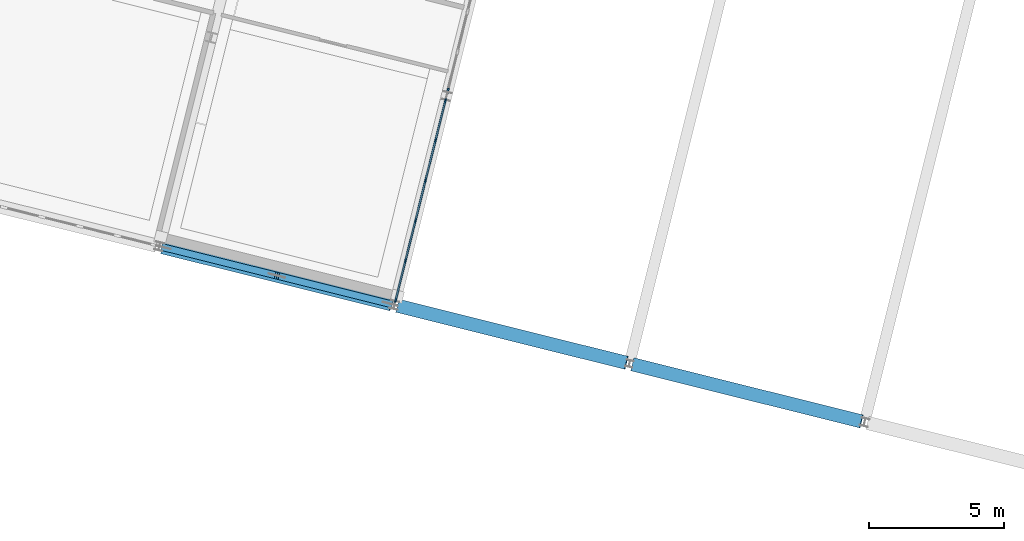
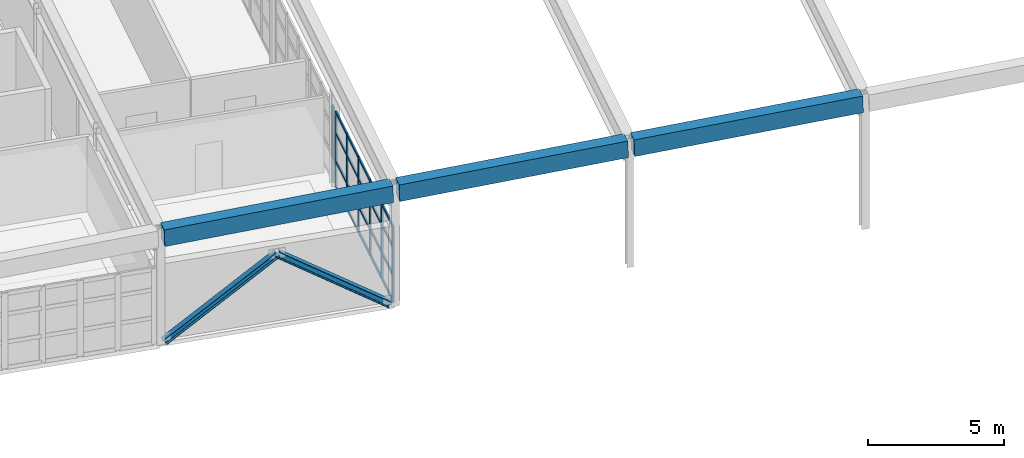
# One storey, part 12 of 27: 29 members, 3 beams, 2 elements without a shape of their own.
"""IFC4 building model written with IfcOpenShell, lengths in metres."""

from ifc_helpers import new_model, si_unit, direction, frame, origin, origin_2d, place, context, subcontext, project, spatial, rectangle, i_section, extrude, material, layer, layer_set, material_profile, profile_set, type_object, element, aggregate, save


model = new_model("IFC4")

# Units and contexts
model_context = context("Model", 3, precision=1e-05, world=origin(), true_north=direction((0.0, 1.0)))
body_context = subcontext(model_context, "Body", "Model", "MODEL_VIEW")
ifc_project = project(units=[si_unit("LENGTHUNIT", "METRE"), si_unit("AREAUNIT", "SQUARE_METRE"), si_unit("VOLUMEUNIT", "CUBIC_METRE"), si_unit("PLANEANGLEUNIT", "RADIAN"), si_unit("MASSUNIT", "GRAM", prefix="KILO")], contexts=[model_context])

# Site, building, storey
site_placement = place(None, origin())
site = spatial("IfcSite", under=ifc_project, at=site_placement, CompositionType="ELEMENT")
building_placement = place(site_placement, origin())
building = spatial("IfcBuilding", under=site, at=building_placement, Name="Vireo Bluff Cable Station", CompositionType="ELEMENT")
storey_placement = place(building_placement, frame((0.0, 0.0, 19.199951171875)))
storey = spatial("IfcBuildingStorey", under=building, at=storey_placement, Name="L04", CompositionType="ELEMENT", Elevation=19.199951171875)

# Members
ifc_material_1 = material(Name="Steel ASTM A992 Gr. 50", Category="steel")
ifc_material_profile_1 = material_profile(ifc_material_1, i_section(OverallWidth=0.2548828125, OverallDepth=0.256103515625, WebThickness=0.009521484375, FlangeThickness=0.015625, FilletRadius=0.009033203125, at=origin_2d()), Name="W10X54")
ifc_profile_set_1 = profile_set([ifc_material_profile_1], Name="Steel ASTM A992 Gr. 50")
member_type_1 = type_object("IfcMemberType", Name="BRC-02", PredefinedType="BRACE", material=ifc_profile_set_1)
member_1_placement = place(storey_placement, frame((71.62060546875, 33.606689453125, 0.0400390625), z_axis=(0.788678959365, -0.196666755811, 0.582501232801), x_axis=(0.241953175614, 0.970287926757, 0.0)))
element("IfcMember", 1, at=member_1_placement, inside=storey, type_object=member_type_1, Name="V1 L04 concentric brace 25L", PredefinedType="BRACE", context=body_context, shape_type="SweptSolid", body=[
    extrude(i_section(OverallWidth=0.2548828125, OverallDepth=0.256103515625, WebThickness=0.009521484375, FlangeThickness=0.015625, FilletRadius=0.009033203125, at=origin_2d()), origin(), (0.0, 0.0, 1.0), 5.339111328125),
])
ifc_material_profile_2 = material_profile(ifc_material_1, i_section(OverallWidth=0.257080078125, OverallDepth=0.263916015625, WebThickness=0.011962890625, FlangeThickness=0.01953125, FilletRadius=0.009033203125, at=origin_2d()), Name="W10X68")
ifc_profile_set_2 = profile_set([ifc_material_profile_2], Name="Steel ASTM A992 Gr. 50")
member_type_2 = type_object("IfcMemberType", Name="BRC-03", PredefinedType="BRACE", material=ifc_profile_set_2)
member_2_placement = place(storey_placement, frame((80.042724609375, 31.5068359375, 0.0400390625), z_axis=(-0.788703333434, 0.196615707216, 0.582485463773), x_axis=(-0.241887009228, -0.970304423759, 0.0)))
element("IfcMember", 2, at=member_2_placement, inside=storey, type_object=member_type_2, Name="V1 L04 concentric brace 26R", PredefinedType="BRACE", context=body_context, shape_type="SweptSolid", body=[
    extrude(i_section(OverallWidth=0.257080078125, OverallDepth=0.263916015625, WebThickness=0.011962890625, FlangeThickness=0.01953125, FilletRadius=0.009033203125, at=origin_2d()), origin(), (0.0, 0.0, 1.0), 5.33935546875),
])

# Curtain wall, member
ifc_material_2 = material(Name="Anodized Aluminium 6063-T6", Category="aluminium")
ifc_layer_1 = layer(ifc_material_2, 0.179931640625, Name="Anodized Aluminium 6063-T6")
ifc_layer_set_1 = layer_set([ifc_layer_1], Name="Anodized Aluminium 6063-T6")
curtain_wall_type_1 = type_object("IfcCurtainWallType", Name="CW-UNIT-1500", PredefinedType="USERDEFINED", material=ifc_layer_set_1)
curtain_wall_1_placement = place(storey_placement, origin())
curtain_wall_1 = element("IfcCurtainWall", 3, at=curtain_wall_1_placement, inside=storey, type_object=curtain_wall_type_1, Name="V1 L04 east curtain wall CW-037", ObjectType="UNITISED CURTAIN WALL", PredefinedType="USERDEFINED")
ifc_material_profile_3 = material_profile(ifc_material_2, rectangle(XDim=0.074951171875, YDim=0.2099609375, at=origin_2d()), Name="ALU-M-75X210")
ifc_profile_set_3 = profile_set([ifc_material_profile_3], Name="Anodized Aluminium 6063-T6")
member_type_3 = type_object("IfcMemberType", Name="CWM-02", PredefinedType="MULLION", material=ifc_profile_set_3)
member_3_placement = place(storey_placement, frame((82.179931640625, 39.417724609375, 0.0), z_axis=(0.0, 0.0, 1.0), x_axis=(0.970295733788, -0.241921865473, 0.0)))
member_3 = element("IfcMember", 4, at=member_3_placement, type_object=member_type_3, Name="CW-037 mullion 6", PredefinedType="MULLION", context=body_context, shape_type="SweptSolid", body=[
    extrude(rectangle(XDim=0.074951171875, YDim=0.2099609375, at=origin_2d()), origin(), (0.0, 0.0, 1.0), 3.400146484375),
])
aggregate(curtain_wall_1, [member_3])

# Curtain wall, members
ifc_layer_2 = layer(ifc_material_2, 0.179931640625, Name="Anodized Aluminium 6063-T6")
ifc_layer_set_2 = layer_set([ifc_layer_2], Name="Anodized Aluminium 6063-T6")
curtain_wall_type_2 = type_object("IfcCurtainWallType", Name="CW-UNIT-1650", PredefinedType="USERDEFINED", material=ifc_layer_set_2)
curtain_wall_2_placement = place(storey_placement, origin())
curtain_wall_2 = element("IfcCurtainWall", 5, at=curtain_wall_2_placement, inside=storey, type_object=curtain_wall_type_2, Name="V1 L04 east curtain wall CW-038", ObjectType="UNITISED CURTAIN WALL", PredefinedType="USERDEFINED")
ifc_material_profile_4 = material_profile(ifc_material_2, rectangle(XDim=0.06005859375, YDim=0.159912109375, at=origin_2d()), Name="ALU-M-60X160")
ifc_profile_set_4 = profile_set([ifc_material_profile_4], Name="Anodized Aluminium 6063-T6")
member_type_4 = type_object("IfcMemberType", Name="CWM-03", PredefinedType="MULLION", material=ifc_profile_set_4)
member_4_placement = place(storey_placement, frame((82.08837890625, 39.050537109375, 0.0), z_axis=(0.0, 0.0, 1.0), x_axis=(0.970295710869, -0.241921957395, 0.0)))
member_4 = element("IfcMember", 6, at=member_4_placement, type_object=member_type_4, Name="CW-038 mullion 1", PredefinedType="MULLION", context=body_context, shape_type="SweptSolid", body=[
    extrude(rectangle(XDim=0.06005859375, YDim=0.159912109375, at=origin_2d()), origin(), (0.0, 0.0, 1.0), 3.400146484375),
])
member_5_placement = place(storey_placement, frame((81.7236328125, 37.58740234375, 0.0), z_axis=(0.0, 0.0, 1.0), x_axis=(0.970295710869, -0.241921957395, 0.0)))
member_5 = element("IfcMember", 7, at=member_5_placement, type_object=member_type_4, Name="CW-038 mullion 2", PredefinedType="MULLION", context=body_context, shape_type="SweptSolid", body=[
    extrude(rectangle(XDim=0.06005859375, YDim=0.159912109375, at=origin_2d()), origin(), (0.0, 0.0, 1.0), 3.400146484375),
])
member_6_placement = place(storey_placement, frame((81.351806640625, 36.095458984375, 0.0), z_axis=(0.0, 0.0, 1.0), x_axis=(0.970295710869, -0.241921957395, 0.0)))
member_6 = element("IfcMember", 8, at=member_6_placement, type_object=member_type_4, Name="CW-038 mullion 3", PredefinedType="MULLION", context=body_context, shape_type="SweptSolid", body=[
    extrude(rectangle(XDim=0.06005859375, YDim=0.159912109375, at=origin_2d()), origin(), (0.0, 0.0, 1.0), 3.400146484375),
])
member_7_placement = place(storey_placement, frame((80.979736328125, 34.603271484375, 0.0), z_axis=(0.0, 0.0, 1.0), x_axis=(0.970295710869, -0.241921957395, 0.0)))
member_7 = element("IfcMember", 9, at=member_7_placement, type_object=member_type_4, Name="CW-038 mullion 4", PredefinedType="MULLION", context=body_context, shape_type="SweptSolid", body=[
    extrude(rectangle(XDim=0.06005859375, YDim=0.159912109375, at=origin_2d()), origin(), (0.0, 0.0, 1.0), 3.400146484375),
])
member_8_placement = place(storey_placement, frame((80.607666015625, 33.111083984375, 0.0), z_axis=(0.0, 0.0, 1.0), x_axis=(0.970295710869, -0.241921957395, 0.0)))
member_8 = element("IfcMember", 10, at=member_8_placement, type_object=member_type_4, Name="CW-038 mullion 5", PredefinedType="MULLION", context=body_context, shape_type="SweptSolid", body=[
    extrude(rectangle(XDim=0.06005859375, YDim=0.159912109375, at=origin_2d()), origin(), (0.0, 0.0, 1.0), 3.400146484375),
])
member_9_placement = place(storey_placement, frame((80.242919921875, 31.648193359375, 0.0), z_axis=(0.0, 0.0, 1.0), x_axis=(0.970295710869, -0.241921957395, 0.0)))
member_9 = element("IfcMember", 11, at=member_9_placement, type_object=member_type_4, Name="CW-038 mullion 6", PredefinedType="MULLION", context=body_context, shape_type="SweptSolid", body=[
    extrude(rectangle(XDim=0.06005859375, YDim=0.159912109375, at=origin_2d()), origin(), (0.0, 0.0, 1.0), 3.400146484375),
])
ifc_material_profile_5 = material_profile(ifc_material_2, rectangle(XDim=0.06005859375, YDim=0.1201171875, at=origin_2d()), Name="ALU-T-60X120")
ifc_profile_set_5 = profile_set([ifc_material_profile_5], Name="Anodized Aluminium 6063-T6")
member_type_5 = type_object("IfcMemberType", Name="CWT-03", PredefinedType="USERDEFINED", material=ifc_profile_set_5)
member_10_placement = place(storey_placement, frame((82.081298828125, 39.021484375, 0.030029296875), z_axis=(-0.241980107272, -0.970281210621, 0.0), x_axis=(0.970281210621, -0.241980107272, 0.0)))
member_10 = element("IfcMember", 12, at=member_10_placement, type_object=member_type_5, Name="CW-038 transom 1.1", ObjectType="TRANSOM", PredefinedType="USERDEFINED", context=body_context, shape_type="SweptSolid", body=[
    extrude(rectangle(XDim=0.06005859375, YDim=0.1201171875, at=origin_2d()), origin(), (0.0, 0.0, 1.0), 1.44775390625),
])
member_11_placement = place(storey_placement, frame((82.081298828125, 39.021484375, 1.18994140625), z_axis=(-0.241980107272, -0.970281210621, 0.0), x_axis=(0.970281210621, -0.241980107272, 0.0)))
member_11 = element("IfcMember", 13, at=member_11_placement, type_object=member_type_5, Name="CW-038 transom 1.2", ObjectType="TRANSOM", PredefinedType="USERDEFINED", context=body_context, shape_type="SweptSolid", body=[
    extrude(rectangle(XDim=0.06005859375, YDim=0.1201171875, at=origin_2d()), origin(), (0.0, 0.0, 1.0), 1.44775390625),
])
member_12_placement = place(storey_placement, frame((82.081298828125, 39.021484375, 2.447998046875), z_axis=(-0.241980107272, -0.970281210621, 0.0), x_axis=(0.970281210621, -0.241980107272, 0.0)))
member_12 = element("IfcMember", 14, at=member_12_placement, type_object=member_type_5, Name="CW-038 transom 1.3", ObjectType="TRANSOM", PredefinedType="USERDEFINED", context=body_context, shape_type="SweptSolid", body=[
    extrude(rectangle(XDim=0.06005859375, YDim=0.1201171875, at=origin_2d()), origin(), (0.0, 0.0, 1.0), 1.44775390625),
])
member_13_placement = place(storey_placement, frame((82.081298828125, 39.021484375, 3.3701171875), z_axis=(-0.241980107272, -0.970281210621, 0.0), x_axis=(0.970281210621, -0.241980107272, 0.0)))
member_13 = element("IfcMember", 15, at=member_13_placement, type_object=member_type_5, Name="CW-038 transom 1.4", ObjectType="TRANSOM", PredefinedType="USERDEFINED", context=body_context, shape_type="SweptSolid", body=[
    extrude(rectangle(XDim=0.06005859375, YDim=0.1201171875, at=origin_2d()), origin(), (0.0, 0.0, 1.0), 1.44775390625),
])
member_14_placement = place(storey_placement, frame((81.716552734375, 37.558349609375, 0.030029296875), z_axis=(-0.24203024891, -0.970268704335, 0.0), x_axis=(0.970268704335, -0.24203024891, 0.0)))
member_14 = element("IfcMember", 16, at=member_14_placement, type_object=member_type_5, Name="CW-038 transom 2.1", ObjectType="TRANSOM", PredefinedType="USERDEFINED", context=body_context, shape_type="SweptSolid", body=[
    extrude(rectangle(XDim=0.06005859375, YDim=0.1201171875, at=origin_2d()), origin(), (0.0, 0.0, 1.0), 1.477783203125),
])
member_15_placement = place(storey_placement, frame((81.716552734375, 37.558349609375, 1.18994140625), z_axis=(-0.24203024891, -0.970268704335, 0.0), x_axis=(0.970268704335, -0.24203024891, 0.0)))
member_15 = element("IfcMember", 17, at=member_15_placement, type_object=member_type_5, Name="CW-038 transom 2.2", ObjectType="TRANSOM", PredefinedType="USERDEFINED", context=body_context, shape_type="SweptSolid", body=[
    extrude(rectangle(XDim=0.06005859375, YDim=0.1201171875, at=origin_2d()), origin(), (0.0, 0.0, 1.0), 1.477783203125),
])
member_16_placement = place(storey_placement, frame((81.716552734375, 37.558349609375, 2.447998046875), z_axis=(-0.24203024891, -0.970268704335, 0.0), x_axis=(0.970268704335, -0.24203024891, 0.0)))
member_16 = element("IfcMember", 18, at=member_16_placement, type_object=member_type_5, Name="CW-038 transom 2.3", ObjectType="TRANSOM", PredefinedType="USERDEFINED", context=body_context, shape_type="SweptSolid", body=[
    extrude(rectangle(XDim=0.06005859375, YDim=0.1201171875, at=origin_2d()), origin(), (0.0, 0.0, 1.0), 1.477783203125),
])
member_17_placement = place(storey_placement, frame((81.716552734375, 37.558349609375, 3.3701171875), z_axis=(-0.24203024891, -0.970268704335, 0.0), x_axis=(0.970268704335, -0.24203024891, 0.0)))
member_17 = element("IfcMember", 19, at=member_17_placement, type_object=member_type_5, Name="CW-038 transom 2.4", ObjectType="TRANSOM", PredefinedType="USERDEFINED", context=body_context, shape_type="SweptSolid", body=[
    extrude(rectangle(XDim=0.06005859375, YDim=0.1201171875, at=origin_2d()), origin(), (0.0, 0.0, 1.0), 1.477783203125),
])
member_18_placement = place(storey_placement, frame((81.344482421875, 36.066162109375, 0.030029296875), z_axis=(-0.24203024891, -0.970268704335, 0.0), x_axis=(0.970268704335, -0.24203024891, 0.0)))
member_18 = element("IfcMember", 20, at=member_18_placement, type_object=member_type_5, Name="CW-038 transom 3.1", ObjectType="TRANSOM", PredefinedType="USERDEFINED", context=body_context, shape_type="SweptSolid", body=[
    extrude(rectangle(XDim=0.06005859375, YDim=0.1201171875, at=origin_2d()), origin(), (0.0, 0.0, 1.0), 1.477783203125),
])
member_19_placement = place(storey_placement, frame((81.344482421875, 36.066162109375, 1.18994140625), z_axis=(-0.24203024891, -0.970268704335, 0.0), x_axis=(0.970268704335, -0.24203024891, 0.0)))
member_19 = element("IfcMember", 21, at=member_19_placement, type_object=member_type_5, Name="CW-038 transom 3.2", ObjectType="TRANSOM", PredefinedType="USERDEFINED", context=body_context, shape_type="SweptSolid", body=[
    extrude(rectangle(XDim=0.06005859375, YDim=0.1201171875, at=origin_2d()), origin(), (0.0, 0.0, 1.0), 1.477783203125),
])
member_20_placement = place(storey_placement, frame((81.344482421875, 36.066162109375, 2.447998046875), z_axis=(-0.24203024891, -0.970268704335, 0.0), x_axis=(0.970268704335, -0.24203024891, 0.0)))
member_20 = element("IfcMember", 22, at=member_20_placement, type_object=member_type_5, Name="CW-038 transom 3.3", ObjectType="TRANSOM", PredefinedType="USERDEFINED", context=body_context, shape_type="SweptSolid", body=[
    extrude(rectangle(XDim=0.06005859375, YDim=0.1201171875, at=origin_2d()), origin(), (0.0, 0.0, 1.0), 1.477783203125),
])
member_21_placement = place(storey_placement, frame((81.344482421875, 36.066162109375, 3.3701171875), z_axis=(-0.24203024891, -0.970268704335, 0.0), x_axis=(0.970268704335, -0.24203024891, 0.0)))
member_21 = element("IfcMember", 23, at=member_21_placement, type_object=member_type_5, Name="CW-038 transom 3.4", ObjectType="TRANSOM", PredefinedType="USERDEFINED", context=body_context, shape_type="SweptSolid", body=[
    extrude(rectangle(XDim=0.06005859375, YDim=0.1201171875, at=origin_2d()), origin(), (0.0, 0.0, 1.0), 1.477783203125),
])
member_22_placement = place(storey_placement, frame((80.972412109375, 34.57421875, 0.030029296875), z_axis=(-0.241835940156, -0.970317153331, 0.0), x_axis=(0.970317153331, -0.241835940156, 0.0)))
member_22 = element("IfcMember", 24, at=member_22_placement, type_object=member_type_5, Name="CW-038 transom 4.1", ObjectType="TRANSOM", PredefinedType="USERDEFINED", context=body_context, shape_type="SweptSolid", body=[
    extrude(rectangle(XDim=0.06005859375, YDim=0.1201171875, at=origin_2d()), origin(), (0.0, 0.0, 1.0), 1.47802734375),
])
member_23_placement = place(storey_placement, frame((80.972412109375, 34.57421875, 1.18994140625), z_axis=(-0.241835940156, -0.970317153331, 0.0), x_axis=(0.970317153331, -0.241835940156, 0.0)))
member_23 = element("IfcMember", 25, at=member_23_placement, type_object=member_type_5, Name="CW-038 transom 4.2", ObjectType="TRANSOM", PredefinedType="USERDEFINED", context=body_context, shape_type="SweptSolid", body=[
    extrude(rectangle(XDim=0.06005859375, YDim=0.1201171875, at=origin_2d()), origin(), (0.0, 0.0, 1.0), 1.47802734375),
])
member_24_placement = place(storey_placement, frame((80.972412109375, 34.57421875, 2.447998046875), z_axis=(-0.241835940156, -0.970317153331, 0.0), x_axis=(0.970317153331, -0.241835940156, 0.0)))
member_24 = element("IfcMember", 26, at=member_24_placement, type_object=member_type_5, Name="CW-038 transom 4.3", ObjectType="TRANSOM", PredefinedType="USERDEFINED", context=body_context, shape_type="SweptSolid", body=[
    extrude(rectangle(XDim=0.06005859375, YDim=0.1201171875, at=origin_2d()), origin(), (0.0, 0.0, 1.0), 1.47802734375),
])
member_25_placement = place(storey_placement, frame((80.972412109375, 34.57421875, 3.3701171875), z_axis=(-0.241835940156, -0.970317153331, 0.0), x_axis=(0.970317153331, -0.241835940156, 0.0)))
member_25 = element("IfcMember", 27, at=member_25_placement, type_object=member_type_5, Name="CW-038 transom 4.4", ObjectType="TRANSOM", PredefinedType="USERDEFINED", context=body_context, shape_type="SweptSolid", body=[
    extrude(rectangle(XDim=0.06005859375, YDim=0.1201171875, at=origin_2d()), origin(), (0.0, 0.0, 1.0), 1.47802734375),
])
member_26_placement = place(storey_placement, frame((80.600341796875, 33.08203125, 0.030029296875), z_axis=(-0.241980107272, -0.970281210621, 0.0), x_axis=(0.970281210621, -0.241980107272, 0.0)))
member_26 = element("IfcMember", 28, at=member_26_placement, type_object=member_type_5, Name="CW-038 transom 5.1", ObjectType="TRANSOM", PredefinedType="USERDEFINED", context=body_context, shape_type="SweptSolid", body=[
    extrude(rectangle(XDim=0.06005859375, YDim=0.1201171875, at=origin_2d()), origin(), (0.0, 0.0, 1.0), 1.44775390625),
])
member_27_placement = place(storey_placement, frame((80.600341796875, 33.08203125, 1.18994140625), z_axis=(-0.241980107272, -0.970281210621, 0.0), x_axis=(0.970281210621, -0.241980107272, 0.0)))
member_27 = element("IfcMember", 29, at=member_27_placement, type_object=member_type_5, Name="CW-038 transom 5.2", ObjectType="TRANSOM", PredefinedType="USERDEFINED", context=body_context, shape_type="SweptSolid", body=[
    extrude(rectangle(XDim=0.06005859375, YDim=0.1201171875, at=origin_2d()), origin(), (0.0, 0.0, 1.0), 1.44775390625),
])
member_28_placement = place(storey_placement, frame((80.600341796875, 33.08203125, 2.447998046875), z_axis=(-0.241980107272, -0.970281210621, 0.0), x_axis=(0.970281210621, -0.241980107272, 0.0)))
member_28 = element("IfcMember", 30, at=member_28_placement, type_object=member_type_5, Name="CW-038 transom 5.3", ObjectType="TRANSOM", PredefinedType="USERDEFINED", context=body_context, shape_type="SweptSolid", body=[
    extrude(rectangle(XDim=0.06005859375, YDim=0.1201171875, at=origin_2d()), origin(), (0.0, 0.0, 1.0), 1.44775390625),
])
member_29_placement = place(storey_placement, frame((80.600341796875, 33.08203125, 3.3701171875), z_axis=(-0.241980107272, -0.970281210621, 0.0), x_axis=(0.970281210621, -0.241980107272, 0.0)))
member_29 = element("IfcMember", 31, at=member_29_placement, type_object=member_type_5, Name="CW-038 transom 5.4", ObjectType="TRANSOM", PredefinedType="USERDEFINED", context=body_context, shape_type="SweptSolid", body=[
    extrude(rectangle(XDim=0.06005859375, YDim=0.1201171875, at=origin_2d()), origin(), (0.0, 0.0, 1.0), 1.44775390625),
])
aggregate(curtain_wall_2, [member_4, member_5, member_6, member_7, member_8, member_9, member_10, member_11, member_12, member_13, member_14, member_15, member_16, member_17, member_18, member_19, member_20, member_21, member_22, member_23, member_24, member_25, member_26, member_27, member_28, member_29])

# Beams
ifc_material_3 = material(Name="Concrete f'c 40 MPa", Category="concrete")
ifc_material_profile_6 = material_profile(ifc_material_3, rectangle(XDim=0.5, YDim=0.75, at=origin_2d()), Name="RC-EB-500X750")
ifc_profile_set_6 = profile_set([ifc_material_profile_6], Name="Concrete f'c 40 MPa")
beam_type = type_object("IfcBeamType", Name="RCEB-03", PredefinedType="SPANDREL", material=ifc_profile_set_6)
for number, where, z_axis, x_axis, name in (
    (32, (71.581787109375, 33.616455078125, 4.83642578125), (0.969776072977, -0.241810314218, 0.032590492758), (0.241938834838, 0.970291502693, 0.0), "V1 L04 spandrel 335"),
    (33, (80.314453125, 31.43896484375, 5.1220703125), (0.969781723978, -0.241783867992, 0.032618537951), (0.241912595995, 0.970298044881, 0.0), "V1 L04 spandrel 336"),
    (34, (89.047119140625, 29.26171875, 5.407958984375), (0.969782604745, -0.241784087583, 0.032590712266), (0.241912595995, 0.970298044881, 0.0), "V1 L04 spandrel 337"),
):
    element("IfcBeam", number, at=place(storey_placement, frame(where, z_axis=z_axis, x_axis=x_axis)), inside=storey, type_object=beam_type, Name=name, PredefinedType="SPANDREL", context=body_context, shape_type="SweptSolid", body=[
        extrude(rectangle(XDim=0.5, YDim=0.75, at=origin_2d()), origin(), (0.0, 0.0, 1.0), 8.7646484375),
    ])

save(model, "model.ifc")
